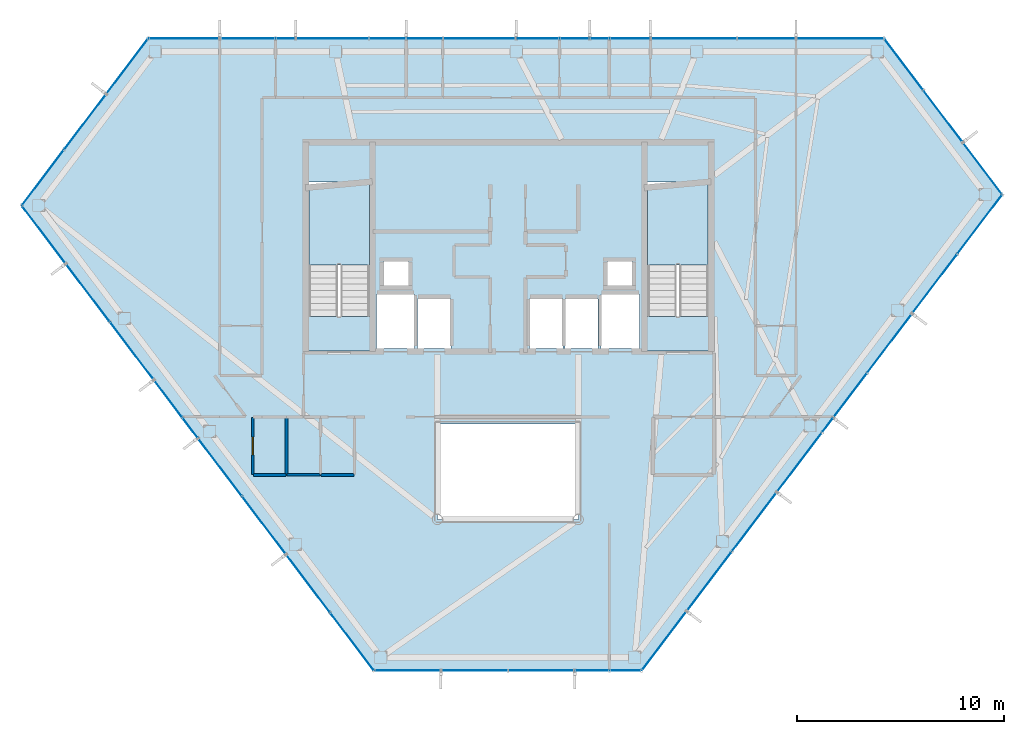
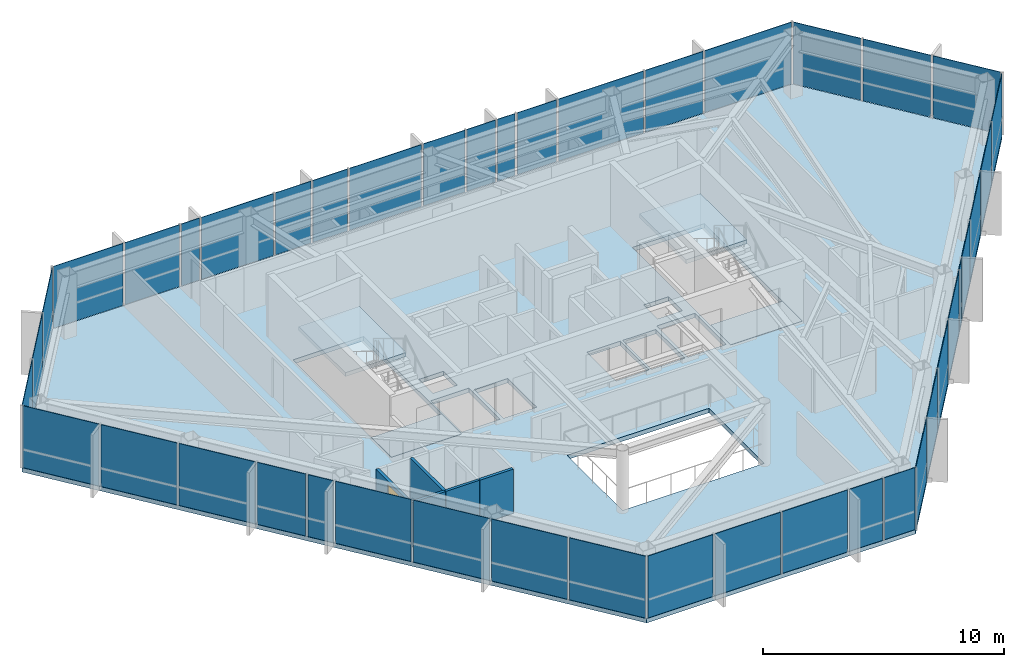
# One storey, part 21 of 25: 43 plates, 5 slabs, 5 walls, 1 door, 1 opening, 8 elements without a shape of their own.
"""IFC4 building model written with IfcOpenShell, lengths in metres."""

from ifc_helpers import new_model, si_unit, direction, frame, frame_2d, origin, origin_2d, place, context, subcontext, project, spatial, polyline, rectangle, outline, extrude, material, layer, layer_set, type_object, element, fill, aggregate, save


model = new_model("IFC4")

# Units and contexts
model_context = context("Model", 3, precision=1e-05, world=origin(), true_north=direction((0.0, 1.0)))
body_context = subcontext(model_context, "Body", "Model", "MODEL_VIEW")
ifc_project = project(units=[si_unit("LENGTHUNIT", "METRE"), si_unit("AREAUNIT", "SQUARE_METRE"), si_unit("VOLUMEUNIT", "CUBIC_METRE"), si_unit("PLANEANGLEUNIT", "RADIAN"), si_unit("MASSUNIT", "GRAM", prefix="KILO")], contexts=[model_context])

# Site, building, storey
site_placement = place(None, origin())
site = spatial("IfcSite", under=ifc_project, at=site_placement, CompositionType="ELEMENT")
building_placement = place(site_placement, origin())
building = spatial("IfcBuilding", under=site, at=building_placement, Name="Zarrinselat Tower", CompositionType="ELEMENT")
storey_placement = place(building_placement, frame((0.0, 0.0, 208.760009765625)))
storey = spatial("IfcBuildingStorey", under=building, at=storey_placement, Name="L51", CompositionType="ELEMENT", Elevation=208.760009765625)

# Curtain wall, plates
ifc_material_1 = material(Name="Extruded Aluminium Alloy EN AW-6063 T6", Category="aluminium")
ifc_layer_1 = layer(ifc_material_1, 0.169921875)
ifc_layer_set_1 = layer_set([ifc_layer_1], Name="Extruded Aluminium Alloy EN AW-6063 T6")
curtain_wall_type = type_object("IfcCurtainWallType", Name="CWS-RES", PredefinedType="NOTDEFINED", material=ifc_layer_set_1)
curtain_wall_1_placement = place(storey_placement, origin())
curtain_wall_1 = element("IfcCurtainWall", 1, at=curtain_wall_1_placement, inside=storey, type_object=curtain_wall_type, Name="L51 Unitised Curtain Wall CW-L51-E01", PredefinedType="NOTDEFINED")
ifc_material_2 = material(Name="Double Low-E Laminated Solar Glass", Category="glass")
ifc_layer_2 = layer(ifc_material_2, 0.028076171875)
ifc_layer_set_2 = layer_set([ifc_layer_2], Name="Double Low-E Laminated Solar Glass")
plate_type = type_object("IfcPlateType", Name="PLT-CW-GL28", PredefinedType="CURTAIN_PANEL", material=ifc_layer_set_2)
plate_1_placement = place(storey_placement, frame((54.420654296875, 48.4111328125, 0.02001953125), z_axis=(0.0, 0.0, 1.0), x_axis=(-1.0, 0.0, 0.0)))
plate_1 = element("IfcPlate", 2, at=plate_1_placement, type_object=plate_type, Name="CW-L51-E01 Vision Glass Panel 1", PredefinedType="CURTAIN_PANEL", context=body_context, shape_type="SweptSolid", body=[
    extrude(rectangle(XDim=4.14111328125, YDim=0.028076171875, at=origin_2d()), origin(), (0.0, 0.0, 1.0), 3.139892578125),
])
plate_2_placement = place(storey_placement, frame((50.872802734375, 48.4111328125, 0.02001953125), z_axis=(0.0, 0.0, 1.0), x_axis=(-1.0, 0.0, 0.0)))
plate_2 = element("IfcPlate", 3, at=plate_2_placement, type_object=plate_type, Name="CW-L51-E01 Vision Glass Panel 2", PredefinedType="CURTAIN_PANEL", context=body_context, shape_type="SweptSolid", body=[
    extrude(rectangle(XDim=2.75439453125, YDim=0.028076171875, at=origin_2d()), origin(), (0.0, 0.0, 1.0), 3.139892578125),
])
plate_3_placement = place(storey_placement, frame((47.36279296875, 48.4111328125, 0.02001953125), z_axis=(0.0, 0.0, 1.0), x_axis=(-1.0, 0.0, 0.0)))
plate_3 = element("IfcPlate", 4, at=plate_3_placement, type_object=plate_type, Name="CW-L51-E01 Vision Glass Panel 3", PredefinedType="CURTAIN_PANEL", context=body_context, shape_type="SweptSolid", body=[
    extrude(rectangle(XDim=4.0654296875, YDim=0.028076171875, at=origin_2d()), origin(), (0.0, 0.0, 1.0), 3.139892578125),
])
plate_4_placement = place(storey_placement, frame((44.2900390625, 48.4111328125, 0.02001953125), z_axis=(0.0, 0.0, 1.0), x_axis=(-1.0, 0.0, 0.0)))
plate_4 = element("IfcPlate", 5, at=plate_4_placement, type_object=plate_type, Name="CW-L51-E01 Vision Glass Panel 4", PredefinedType="CURTAIN_PANEL", context=body_context, shape_type="SweptSolid", body=[
    extrude(rectangle(XDim=1.8798828125, YDim=0.028076171875, at=origin_2d()), origin(), (0.0, 0.0, 1.0), 3.139892578125),
])
plate_5_placement = place(storey_placement, frame((42.824951171875, 48.4111328125, 0.02001953125), z_axis=(0.0, 0.0, 1.0), x_axis=(-1.0, 0.0, 0.0)))
plate_5 = element("IfcPlate", 6, at=plate_5_placement, type_object=plate_type, Name="CW-L51-E01 Vision Glass Panel 5", PredefinedType="CURTAIN_PANEL", context=body_context, shape_type="SweptSolid", body=[
    extrude(rectangle(XDim=0.85009765625, YDim=0.028076171875, at=origin_2d()), origin(), (0.0, 0.0, 1.0), 3.139892578125),
])
plate_6_placement = place(storey_placement, frame((41.619384765625, 48.4111328125, 0.02001953125), z_axis=(0.0, 0.0, 1.0), x_axis=(-1.0, 0.0, 0.0)))
plate_6 = element("IfcPlate", 7, at=plate_6_placement, type_object=plate_type, Name="CW-L51-E01 Vision Glass Panel 6", PredefinedType="CURTAIN_PANEL", context=body_context, shape_type="SweptSolid", body=[
    extrude(rectangle(XDim=1.360595703125, YDim=0.028076171875, at=origin_2d()), origin(), (0.0, 0.0, 1.0), 3.139892578125),
])
plate_7_placement = place(storey_placement, frame((39.845703125, 48.4111328125, 0.02001953125), z_axis=(0.0, 0.0, 1.0), x_axis=(-1.0, 0.0, 0.0)))
plate_7 = element("IfcPlate", 8, at=plate_7_placement, type_object=plate_type, Name="CW-L51-E01 Vision Glass Panel 7", PredefinedType="CURTAIN_PANEL", context=body_context, shape_type="SweptSolid", body=[
    extrude(rectangle(XDim=1.9873046875, YDim=0.028076171875, at=origin_2d()), origin(), (0.0, 0.0, 1.0), 3.139892578125),
])
plate_8_placement = place(storey_placement, frame((37.032958984375, 48.4111328125, 0.02001953125), z_axis=(0.0, 0.0, 1.0), x_axis=(-1.0, 0.0, 0.0)))
plate_8 = element("IfcPlate", 9, at=plate_8_placement, type_object=plate_type, Name="CW-L51-E01 Vision Glass Panel 8", PredefinedType="CURTAIN_PANEL", context=body_context, shape_type="SweptSolid", body=[
    extrude(rectangle(XDim=3.43798828125, YDim=0.028076171875, at=origin_2d()), origin(), (0.0, 0.0, 1.0), 3.139892578125),
])
plate_9_placement = place(storey_placement, frame((34.382080078125, 48.4111328125, 0.02001953125), z_axis=(0.0, 0.0, 1.0), x_axis=(-1.0, 0.0, 0.0)))
plate_9 = element("IfcPlate", 10, at=plate_9_placement, type_object=plate_type, Name="CW-L51-E01 Vision Glass Panel 9", PredefinedType="CURTAIN_PANEL", context=body_context, shape_type="SweptSolid", body=[
    extrude(rectangle(XDim=1.6640625, YDim=0.028076171875, at=origin_2d()), origin(), (0.0, 0.0, 1.0), 3.139892578125),
])
plate_10_placement = place(storey_placement, frame((32.60302734375, 48.4111328125, 0.02001953125), z_axis=(0.0, 0.0, 1.0), x_axis=(-1.0, 0.0, 0.0)))
plate_10 = element("IfcPlate", 11, at=plate_10_placement, type_object=plate_type, Name="CW-L51-E01 Vision Glass Panel 10", PredefinedType="CURTAIN_PANEL", context=body_context, shape_type="SweptSolid", body=[
    extrude(rectangle(XDim=1.69384765625, YDim=0.028076171875, at=origin_2d()), origin(), (0.0, 0.0, 1.0), 3.139892578125),
])
plate_11_placement = place(storey_placement, frame((29.932373046875, 48.4111328125, 0.02001953125), z_axis=(0.0, 0.0, 1.0), x_axis=(-1.0, 0.0, 0.0)))
plate_11 = element("IfcPlate", 12, at=plate_11_placement, type_object=plate_type, Name="CW-L51-E01 Vision Glass Panel 11", PredefinedType="CURTAIN_PANEL", context=body_context, shape_type="SweptSolid", body=[
    extrude(rectangle(XDim=3.447998046875, YDim=0.028076171875, at=origin_2d()), origin(), (0.0, 0.0, 1.0), 3.139892578125),
])
plate_12_placement = place(storey_placement, frame((27.67919921875, 48.4111328125, 0.02001953125), z_axis=(0.0, 0.0, 1.0), x_axis=(-1.0, 0.0, 0.0)))
plate_12 = element("IfcPlate", 13, at=plate_12_placement, type_object=plate_type, Name="CW-L51-E01 Vision Glass Panel 12", PredefinedType="CURTAIN_PANEL", context=body_context, shape_type="SweptSolid", body=[
    extrude(rectangle(XDim=0.8583984375, YDim=0.028076171875, at=origin_2d()), origin(), (0.0, 0.0, 1.0), 3.139892578125),
])
plate_13_placement = place(storey_placement, frame((25.85009765625, 48.4111328125, 0.02001953125), z_axis=(0.0, 0.0, 1.0), x_axis=(-1.0, 0.0, 0.0)))
plate_13 = element("IfcPlate", 14, at=plate_13_placement, type_object=plate_type, Name="CW-L51-E01 Vision Glass Panel 13", PredefinedType="CURTAIN_PANEL", context=body_context, shape_type="SweptSolid", body=[
    extrude(rectangle(XDim=2.60009765625, YDim=0.028076171875, at=origin_2d()), origin(), (0.0, 0.0, 1.0), 3.139892578125),
])
plate_14_placement = place(storey_placement, frame((22.781494140625, 48.4111328125, 0.02001953125), z_axis=(0.0, 0.0, 1.0), x_axis=(-1.0, 0.0, 0.0)))
plate_14 = element("IfcPlate", 15, at=plate_14_placement, type_object=plate_type, Name="CW-L51-E01 Vision Glass Panel 14", PredefinedType="CURTAIN_PANEL", context=body_context, shape_type="SweptSolid", body=[
    extrude(rectangle(XDim=3.33740234375, YDim=0.028076171875, at=origin_2d()), origin(), (0.0, 0.0, 1.0), 3.139892578125),
])
aggregate(curtain_wall_1, [plate_1, plate_2, plate_3, plate_4, plate_5, plate_6, plate_7, plate_8, plate_9, plate_10, plate_11, plate_12, plate_13, plate_14])

curtain_wall_2_placement = place(storey_placement, origin())
curtain_wall_2 = element("IfcCurtainWall", 16, at=curtain_wall_2_placement, inside=storey, type_object=curtain_wall_type, Name="L51 Unitised Curtain Wall CW-L51-E02", PredefinedType="NOTDEFINED")
plate_15_placement = place(storey_placement, frame((20.04443359375, 47.067138671875, 0.02001953125), z_axis=(0.0, 0.0, 1.0), x_axis=(-0.603853501206, -0.797095319947, 0.0)))
plate_15 = element("IfcPlate", 17, at=plate_15_placement, type_object=plate_type, Name="CW-L51-E02 Vision Glass Panel 1", PredefinedType="CURTAIN_PANEL", context=body_context, shape_type="SweptSolid", body=[
    extrude(rectangle(XDim=3.272216796875, YDim=0.028076171875, at=origin_2d()), origin(), (0.0, 0.0, 1.0), 3.139892578125),
])
plate_16_placement = place(storey_placement, frame((18.00830078125, 44.37890625, 0.02001953125), z_axis=(0.0, 0.0, 1.0), x_axis=(-0.603853501206, -0.797095319947, 0.0)))
plate_16 = element("IfcPlate", 18, at=plate_16_placement, type_object=plate_type, Name="CW-L51-E02 Vision Glass Panel 2", PredefinedType="CURTAIN_PANEL", context=body_context, shape_type="SweptSolid", body=[
    extrude(rectangle(XDim=3.272216796875, YDim=0.028076171875, at=origin_2d()), origin(), (0.0, 0.0, 1.0), 3.139892578125),
])
plate_17_placement = place(storey_placement, frame((15.9716796875, 41.69091796875, 0.02001953125), z_axis=(0.0, 0.0, 1.0), x_axis=(-0.603853501206, -0.797095319947, 0.0)))
plate_17 = element("IfcPlate", 19, at=plate_17_placement, type_object=plate_type, Name="CW-L51-E02 Vision Glass Panel 3", PredefinedType="CURTAIN_PANEL", context=body_context, shape_type="SweptSolid", body=[
    extrude(rectangle(XDim=3.272216796875, YDim=0.028076171875, at=origin_2d()), origin(), (0.0, 0.0, 1.0), 3.139892578125),
])
aggregate(curtain_wall_2, [plate_15, plate_16, plate_17])

curtain_wall_3_placement = place(storey_placement, origin())
curtain_wall_3 = element("IfcCurtainWall", 20, at=curtain_wall_3_placement, inside=storey, type_object=curtain_wall_type, Name="L51 Unitised Curtain Wall CW-L51-E03", PredefinedType="NOTDEFINED")
plate_18_placement = place(storey_placement, frame((16.015869140625, 38.944580078125, 0.02001953125), z_axis=(0.0, 0.0, 1.0), x_axis=(0.603858850791, -0.797091267247, 0.0)))
plate_18 = element("IfcPlate", 21, at=plate_18_placement, type_object=plate_type, Name="CW-L51-E03 Vision Glass Panel 1", PredefinedType="CURTAIN_PANEL", context=body_context, shape_type="SweptSolid", body=[
    extrude(rectangle(XDim=3.41845703125, YDim=0.028076171875, at=origin_2d()), origin(), (0.0, 0.0, 1.0), 3.139892578125),
])
plate_19_placement = place(storey_placement, frame((18.140625, 36.14013671875, 0.02001953125), z_axis=(0.0, 0.0, 1.0), x_axis=(0.603858850791, -0.797091267247, 0.0)))
plate_19 = element("IfcPlate", 22, at=plate_19_placement, type_object=plate_type, Name="CW-L51-E03 Vision Glass Panel 2", PredefinedType="CURTAIN_PANEL", context=body_context, shape_type="SweptSolid", body=[
    extrude(rectangle(XDim=3.41845703125, YDim=0.028076171875, at=origin_2d()), origin(), (0.0, 0.0, 1.0), 3.139892578125),
])
plate_20_placement = place(storey_placement, frame((20.265380859375, 33.335693359375, 0.02001953125), z_axis=(0.0, 0.0, 1.0), x_axis=(0.603858850791, -0.797091267247, 0.0)))
plate_20 = element("IfcPlate", 23, at=plate_20_placement, type_object=plate_type, Name="CW-L51-E03 Vision Glass Panel 3", PredefinedType="CURTAIN_PANEL", context=body_context, shape_type="SweptSolid", body=[
    extrude(rectangle(XDim=3.41845703125, YDim=0.028076171875, at=origin_2d()), origin(), (0.0, 0.0, 1.0), 3.139892578125),
])
plate_21_placement = place(storey_placement, frame((22.016845703125, 31.0234375, 0.02001953125), z_axis=(0.0, 0.0, 1.0), x_axis=(0.603858850791, -0.797091267247, 0.0)))
plate_21 = element("IfcPlate", 24, at=plate_21_placement, type_object=plate_type, Name="CW-L51-E03 Vision Glass Panel 4", PredefinedType="CURTAIN_PANEL", context=body_context, shape_type="SweptSolid", body=[
    extrude(rectangle(XDim=2.1826171875, YDim=0.028076171875, at=origin_2d()), origin(), (0.0, 0.0, 1.0), 3.139892578125),
])
plate_22_placement = place(storey_placement, frame((23.0791015625, 29.621337890625, 0.02001953125), z_axis=(0.0, 0.0, 1.0), x_axis=(0.603858850791, -0.797091267247, 0.0)))
plate_22 = element("IfcPlate", 25, at=plate_22_placement, type_object=plate_type, Name="CW-L51-E03 Vision Glass Panel 5", PredefinedType="CURTAIN_PANEL", context=body_context, shape_type="SweptSolid", body=[
    extrude(rectangle(XDim=1.1357421875, YDim=0.028076171875, at=origin_2d()), origin(), (0.0, 0.0, 1.0), 3.139892578125),
])
plate_23_placement = place(storey_placement, frame((24.5146484375, 27.7265625, 0.02001953125), z_axis=(0.0, 0.0, 1.0), x_axis=(0.603858850791, -0.797091267247, 0.0)))
plate_23 = element("IfcPlate", 26, at=plate_23_placement, type_object=plate_type, Name="CW-L51-E03 Vision Glass Panel 6", PredefinedType="CURTAIN_PANEL", context=body_context, shape_type="SweptSolid", body=[
    extrude(rectangle(XDim=3.41845703125, YDim=0.028076171875, at=origin_2d()), origin(), (0.0, 0.0, 1.0), 3.139892578125),
])
plate_24_placement = place(storey_placement, frame((26.639404296875, 24.921875, 0.02001953125), z_axis=(0.0, 0.0, 1.0), x_axis=(0.603858850791, -0.797091267247, 0.0)))
plate_24 = element("IfcPlate", 27, at=plate_24_placement, type_object=plate_type, Name="CW-L51-E03 Vision Glass Panel 7", PredefinedType="CURTAIN_PANEL", context=body_context, shape_type="SweptSolid", body=[
    extrude(rectangle(XDim=3.41845703125, YDim=0.028076171875, at=origin_2d()), origin(), (0.0, 0.0, 1.0), 3.139892578125),
])
plate_25_placement = place(storey_placement, frame((28.763916015625, 22.1171875, 0.02001953125), z_axis=(0.0, 0.0, 1.0), x_axis=(0.603858850791, -0.797091267247, 0.0)))
plate_25 = element("IfcPlate", 28, at=plate_25_placement, type_object=plate_type, Name="CW-L51-E03 Vision Glass Panel 8", PredefinedType="CURTAIN_PANEL", context=body_context, shape_type="SweptSolid", body=[
    extrude(rectangle(XDim=3.41845703125, YDim=0.028076171875, at=origin_2d()), origin(), (0.0, 0.0, 1.0), 3.139892578125),
])
plate_26_placement = place(storey_placement, frame((30.888671875, 19.312744140625, 0.02001953125), z_axis=(0.0, 0.0, 1.0), x_axis=(0.603858850791, -0.797091267247, 0.0)))
plate_26 = element("IfcPlate", 29, at=plate_26_placement, type_object=plate_type, Name="CW-L51-E03 Vision Glass Panel 9", PredefinedType="CURTAIN_PANEL", context=body_context, shape_type="SweptSolid", body=[
    extrude(rectangle(XDim=3.41845703125, YDim=0.028076171875, at=origin_2d()), origin(), (0.0, 0.0, 1.0), 3.139892578125),
])
aggregate(curtain_wall_3, [plate_18, plate_19, plate_20, plate_21, plate_22, plate_23, plate_24, plate_25, plate_26])

curtain_wall_4_placement = place(storey_placement, origin())
curtain_wall_4 = element("IfcCurtainWall", 30, at=curtain_wall_4_placement, inside=storey, type_object=curtain_wall_type, Name="L51 Unitised Curtain Wall CW-L51-E04", PredefinedType="NOTDEFINED")
plate_27_placement = place(storey_placement, frame((33.563232421875, 17.910400390625, 0.02001953125), z_axis=(0.0, 0.0, 1.0), x_axis=(1.0, 0.0, 0.0)))
plate_27 = element("IfcPlate", 31, at=plate_27_placement, type_object=plate_type, Name="CW-L51-E04 Vision Glass Panel 1", PredefinedType="CURTAIN_PANEL", context=body_context, shape_type="SweptSolid", body=[
    extrude(rectangle(XDim=3.12451171875, YDim=0.028076171875, at=origin_2d()), origin(), (0.0, 0.0, 1.0), 3.139892578125),
])
plate_28_placement = place(storey_placement, frame((36.787841796875, 17.910400390625, 0.02001953125), z_axis=(0.0, 0.0, 1.0), x_axis=(1.0, 0.0, 0.0)))
plate_28 = element("IfcPlate", 32, at=plate_28_placement, type_object=plate_type, Name="CW-L51-E04 Vision Glass Panel 2", PredefinedType="CURTAIN_PANEL", context=body_context, shape_type="SweptSolid", body=[
    extrude(rectangle(XDim=3.12451171875, YDim=0.028076171875, at=origin_2d()), origin(), (0.0, 0.0, 1.0), 3.139892578125),
])
plate_29_placement = place(storey_placement, frame((40.01220703125, 17.910400390625, 0.02001953125), z_axis=(0.0, 0.0, 1.0), x_axis=(1.0, 0.0, 0.0)))
plate_29 = element("IfcPlate", 33, at=plate_29_placement, type_object=plate_type, Name="CW-L51-E04 Vision Glass Panel 3", PredefinedType="CURTAIN_PANEL", context=body_context, shape_type="SweptSolid", body=[
    extrude(rectangle(XDim=3.12451171875, YDim=0.028076171875, at=origin_2d()), origin(), (0.0, 0.0, 1.0), 3.139892578125),
])
plate_30_placement = place(storey_placement, frame((42.462158203125, 17.910400390625, 0.02001953125), z_axis=(0.0, 0.0, 1.0), x_axis=(1.0, 0.0, 0.0)))
plate_30 = element("IfcPlate", 34, at=plate_30_placement, type_object=plate_type, Name="CW-L51-E04 Vision Glass Panel 4", PredefinedType="CURTAIN_PANEL", context=body_context, shape_type="SweptSolid", body=[
    extrude(rectangle(XDim=1.575439453125, YDim=0.028076171875, at=origin_2d()), origin(), (0.0, 0.0, 1.0), 3.139892578125),
])
plate_31_placement = place(storey_placement, frame((44.074462890625, 17.910400390625, 0.02001953125), z_axis=(0.0, 0.0, 1.0), x_axis=(1.0, 0.0, 0.0)))
plate_31 = element("IfcPlate", 35, at=plate_31_placement, type_object=plate_type, Name="CW-L51-E04 Vision Glass Panel 5", PredefinedType="CURTAIN_PANEL", context=body_context, shape_type="SweptSolid", body=[
    extrude(rectangle(XDim=1.448974609375, YDim=0.028076171875, at=origin_2d()), origin(), (0.0, 0.0, 1.0), 3.139892578125),
])
aggregate(curtain_wall_4, [plate_27, plate_28, plate_29, plate_30, plate_31])

curtain_wall_5_placement = place(storey_placement, origin())
curtain_wall_5 = element("IfcCurtainWall", 36, at=curtain_wall_5_placement, inside=storey, type_object=curtain_wall_type, Name="L51 Unitised Curtain Wall CW-L51-E05", PredefinedType="NOTDEFINED")
plate_32_placement = place(storey_placement, frame((45.9365234375, 19.345947265625, 0.02001953125), z_axis=(0.0, 0.0, 1.0), x_axis=(0.603859492128, 0.797090781384, 0.0)))
plate_32 = element("IfcPlate", 37, at=plate_32_placement, type_object=plate_type, Name="CW-L51-E05 Vision Glass Panel 1", PredefinedType="CURTAIN_PANEL", context=body_context, shape_type="SweptSolid", body=[
    extrude(rectangle(XDim=3.501708984375, YDim=0.028076171875, at=origin_2d()), origin(), (0.0, 0.0, 1.0), 3.139892578125),
])
plate_33_placement = place(storey_placement, frame((48.111328125, 22.216796875, 0.02001953125), z_axis=(0.0, 0.0, 1.0), x_axis=(0.603859492128, 0.797090781384, 0.0)))
plate_33 = element("IfcPlate", 38, at=plate_33_placement, type_object=plate_type, Name="CW-L51-E05 Vision Glass Panel 2", PredefinedType="CURTAIN_PANEL", context=body_context, shape_type="SweptSolid", body=[
    extrude(rectangle(XDim=3.501708984375, YDim=0.028076171875, at=origin_2d()), origin(), (0.0, 0.0, 1.0), 3.139892578125),
])
plate_34_placement = place(storey_placement, frame((50.286376953125, 25.087646484375, 0.02001953125), z_axis=(0.0, 0.0, 1.0), x_axis=(0.603859492128, 0.797090781384, 0.0)))
plate_34 = element("IfcPlate", 39, at=plate_34_placement, type_object=plate_type, Name="CW-L51-E05 Vision Glass Panel 3", PredefinedType="CURTAIN_PANEL", context=body_context, shape_type="SweptSolid", body=[
    extrude(rectangle(XDim=3.501708984375, YDim=0.028076171875, at=origin_2d()), origin(), (0.0, 0.0, 1.0), 3.139892578125),
])
plate_35_placement = place(storey_placement, frame((52.461181640625, 27.95849609375, 0.02001953125), z_axis=(0.0, 0.0, 1.0), x_axis=(0.603859492128, 0.797090781384, 0.0)))
plate_35 = element("IfcPlate", 40, at=plate_35_placement, type_object=plate_type, Name="CW-L51-E05 Vision Glass Panel 4", PredefinedType="CURTAIN_PANEL", context=body_context, shape_type="SweptSolid", body=[
    extrude(rectangle(XDim=3.501708984375, YDim=0.028076171875, at=origin_2d()), origin(), (0.0, 0.0, 1.0), 3.139892578125),
])
plate_36_placement = place(storey_placement, frame((53.8212890625, 29.75390625, 0.02001953125), z_axis=(0.0, 0.0, 1.0), x_axis=(0.603859492128, 0.797090781384, 0.0)))
plate_36 = element("IfcPlate", 41, at=plate_36_placement, type_object=plate_type, Name="CW-L51-E05 Vision Glass Panel 5", PredefinedType="CURTAIN_PANEL", context=body_context, shape_type="SweptSolid", body=[
    extrude(rectangle(XDim=0.802978515625, YDim=0.028076171875, at=origin_2d()), origin(), (0.0, 0.0, 1.0), 3.139892578125),
])
plate_37_placement = place(storey_placement, frame((54.90869140625, 31.189208984375, 0.02001953125), z_axis=(0.0, 0.0, 1.0), x_axis=(0.603859492128, 0.797090781384, 0.0)))
plate_37 = element("IfcPlate", 42, at=plate_37_placement, type_object=plate_type, Name="CW-L51-E05 Vision Glass Panel 6", PredefinedType="CURTAIN_PANEL", context=body_context, shape_type="SweptSolid", body=[
    extrude(rectangle(XDim=2.598876953125, YDim=0.028076171875, at=origin_2d()), origin(), (0.0, 0.0, 1.0), 3.139892578125),
])
plate_38_placement = place(storey_placement, frame((56.81103515625, 33.700439453125, 0.02001953125), z_axis=(0.0, 0.0, 1.0), x_axis=(0.603859492128, 0.797090781384, 0.0)))
plate_38 = element("IfcPlate", 43, at=plate_38_placement, type_object=plate_type, Name="CW-L51-E05 Vision Glass Panel 7", PredefinedType="CURTAIN_PANEL", context=body_context, shape_type="SweptSolid", body=[
    extrude(rectangle(XDim=3.501708984375, YDim=0.028076171875, at=origin_2d()), origin(), (0.0, 0.0, 1.0), 3.139892578125),
])
plate_39_placement = place(storey_placement, frame((58.986083984375, 36.5712890625, 0.02001953125), z_axis=(0.0, 0.0, 1.0), x_axis=(0.603859492128, 0.797090781384, 0.0)))
plate_39 = element("IfcPlate", 44, at=plate_39_placement, type_object=plate_type, Name="CW-L51-E05 Vision Glass Panel 8", PredefinedType="CURTAIN_PANEL", context=body_context, shape_type="SweptSolid", body=[
    extrude(rectangle(XDim=3.501708984375, YDim=0.028076171875, at=origin_2d()), origin(), (0.0, 0.0, 1.0), 3.139892578125),
])
plate_40_placement = place(storey_placement, frame((61.160888671875, 39.442138671875, 0.02001953125), z_axis=(0.0, 0.0, 1.0), x_axis=(0.603859492128, 0.797090781384, 0.0)))
plate_40 = element("IfcPlate", 45, at=plate_40_placement, type_object=plate_type, Name="CW-L51-E05 Vision Glass Panel 9", PredefinedType="CURTAIN_PANEL", context=body_context, shape_type="SweptSolid", body=[
    extrude(rectangle(XDim=3.501708984375, YDim=0.028076171875, at=origin_2d()), origin(), (0.0, 0.0, 1.0), 3.139892578125),
])
aggregate(curtain_wall_5, [plate_32, plate_33, plate_34, plate_35, plate_36, plate_37, plate_38, plate_39, plate_40])

curtain_wall_6_placement = place(storey_placement, origin())
curtain_wall_6 = element("IfcCurtainWall", 46, at=curtain_wall_6_placement, inside=storey, type_object=curtain_wall_type, Name="L51 Unitised Curtain Wall CW-L51-E06", PredefinedType="NOTDEFINED")
plate_41_placement = place(storey_placement, frame((61.297119140625, 42.13330078125, 0.02001953125), z_axis=(0.0, 0.0, 1.0), x_axis=(-0.603857891707, 0.797091993827, 0.0)))
plate_41 = element("IfcPlate", 47, at=plate_41_placement, type_object=plate_type, Name="CW-L51-E06 Vision Glass Panel 1", PredefinedType="CURTAIN_PANEL", context=body_context, shape_type="SweptSolid", body=[
    extrude(rectangle(XDim=3.05029296875, YDim=0.028076171875, at=origin_2d()), origin(), (0.0, 0.0, 1.0), 3.139892578125),
])
plate_42_placement = place(storey_placement, frame((59.394775390625, 44.644287109375, 0.02001953125), z_axis=(0.0, 0.0, 1.0), x_axis=(-0.603857891707, 0.797091993827, 0.0)))
plate_42 = element("IfcPlate", 48, at=plate_42_placement, type_object=plate_type, Name="CW-L51-E06 Vision Glass Panel 2", PredefinedType="CURTAIN_PANEL", context=body_context, shape_type="SweptSolid", body=[
    extrude(rectangle(XDim=3.05029296875, YDim=0.028076171875, at=origin_2d()), origin(), (0.0, 0.0, 1.0), 3.139892578125),
])
plate_43_placement = place(storey_placement, frame((57.492431640625, 47.155517578125, 0.02001953125), z_axis=(0.0, 0.0, 1.0), x_axis=(-0.603857891707, 0.797091993827, 0.0)))
plate_43 = element("IfcPlate", 49, at=plate_43_placement, type_object=plate_type, Name="CW-L51-E06 Vision Glass Panel 3", PredefinedType="CURTAIN_PANEL", context=body_context, shape_type="SweptSolid", body=[
    extrude(rectangle(XDim=3.05029296875, YDim=0.028076171875, at=origin_2d()), origin(), (0.0, 0.0, 1.0), 3.139892578125),
])
aggregate(curtain_wall_6, [plate_41, plate_42, plate_43])

# Slabs
ifc_material_3 = material(Name="Concrete C40/50", Category="concrete")
ifc_layer_3 = layer(ifc_material_3, 0.219970703125)
ifc_layer_set_3 = layer_set([ifc_layer_3], Name="Concrete C40/50")
slab_type_1 = type_object("IfcSlabType", Name="SLB-FLOOR-220-SL-RS220", PredefinedType="FLOOR", material=ifc_layer_set_3)
slab_1_placement = place(storey_placement, frame((0.0, 0.0, -0.219970703125)))
element("IfcSlab", 50, at=slab_1_placement, inside=storey, type_object=slab_type_1, Name="L51 Primary Structural Slab", PredefinedType="FLOOR", context=body_context, shape_type="SweptSolid", body=[
    extrude(outline(polyline([(56.541259765625, 48.4111328125), (21.062744140625, 48.4111328125), (14.95361328125, 40.346923828125), (31.950927734375, 17.910400390625), (44.84912109375, 17.910400390625), (62.248291015625, 40.877685546875), (56.541259765625, 48.4111328125)]), holes=[polyline([(41.800048828125, 25.199951171875), (35.0, 25.199951171875), (35.0, 29.800048828125), (41.800048828125, 29.800048828125), (41.800048828125, 25.199951171875)]), polyline([(35.64990234375, 33.449951171875), (34.050048828125, 33.449951171875), (34.050048828125, 35.85009765625), (35.64990234375, 35.85009765625), (35.64990234375, 33.449951171875)]), polyline([(41.050048828125, 33.449951171875), (39.449951171875, 33.449951171875), (39.449951171875, 35.85009765625), (41.050048828125, 35.85009765625), (41.050048828125, 33.449951171875)]), polyline([(41.14990234375, 33.449951171875), (41.14990234375, 35.85009765625), (42.75, 35.85009765625), (42.75, 33.449951171875), (41.14990234375, 33.449951171875)]), polyline([(32.06005859375, 33.449951171875), (32.06005859375, 36.050048828125), (33.89990234375, 36.050048828125), (33.89990234375, 33.449951171875), (32.06005859375, 33.449951171875)]), polyline([(44.739990234375, 33.449951171875), (42.89990234375, 33.449951171875), (42.89990234375, 36.050048828125), (44.739990234375, 36.050048828125), (44.739990234375, 33.449951171875)]), polyline([(33.60009765625, 36.47998046875), (32.419921875, 36.47998046875), (32.419921875, 37.639892578125), (33.60009765625, 37.639892578125), (33.60009765625, 36.47998046875)]), polyline([(44.3798828125, 36.47998046875), (43.199951171875, 36.47998046875), (43.199951171875, 37.639892578125), (44.3798828125, 37.639892578125), (44.3798828125, 36.47998046875)]), polyline([(31.985107421875, 33.324951171875), (28.60498046875, 33.324951171875), (28.60498046875, 41.47509765625), (31.985107421875, 41.47509765625), (31.985107421875, 33.324951171875)]), polyline([(48.324951171875, 33.324951171875), (44.875, 33.324951171875), (44.875, 41.47509765625), (48.324951171875, 41.47509765625), (48.324951171875, 33.324951171875)])]), origin(), (0.0, 0.0, 1.0), 0.219970703125),
])
slab_2_placement = place(storey_placement, frame((0.0, 0.0, -0.219970703125)))
element("IfcSlab", 51, at=slab_2_placement, inside=storey, type_object=slab_type_1, Name="L51 Stair ST-1-FL1 Structural Floor Landing", PredefinedType="FLOOR", context=body_context, shape_type="SweptSolid", body=[
    extrude(outline(polyline([(31.97998046875, 33.330078125), (31.97998046875, 35.0), (28.610107421875, 35.0), (28.610107421875, 33.330078125), (31.97998046875, 33.330078125)])), origin(), (0.0, 0.0, 1.0), 0.219970703125),
])
slab_3_placement = place(storey_placement, frame((0.0, 0.0, -0.219970703125)))
element("IfcSlab", 52, at=slab_3_placement, inside=storey, type_object=slab_type_1, Name="L51 Stair ST-2-FL1 Structural Floor Landing", PredefinedType="FLOOR", context=body_context, shape_type="SweptSolid", body=[
    extrude(outline(polyline([(48.320068359375, 33.330078125), (48.320068359375, 35.0), (44.8798828125, 35.0), (44.8798828125, 33.330078125), (48.320068359375, 33.330078125)])), origin(), (0.0, 0.0, 1.0), 0.219970703125),
])

# Stair, slab
ifc_material_4 = material(Name="Concrete C40/50", Category="concrete")
stair_type = type_object("IfcStairType", Name="STR-CORE-155", PredefinedType="HALF_TURN_STAIR", material=ifc_material_4)
stair_1_placement = place(storey_placement, origin())
stair_1 = element("IfcStair", 53, at=stair_1_placement, inside=storey, type_object=stair_type, Name="L51 Core Exit Stair 1", PredefinedType="HALF_TURN_STAIR")
ifc_material_5 = material(Name="Concrete C40/50", Category="concrete")
ifc_layer_4 = layer(ifc_material_5, 0.18994140625)
ifc_layer_set_4 = layer_set([ifc_layer_4], Name="Concrete C40/50")
slab_type_2 = type_object("IfcSlabType", Name="SLB-LND-190", PredefinedType="LANDING", material=ifc_layer_set_4)
slab_4_placement = place(storey_placement, frame((0.0, 0.0, 1.5)))
slab_4 = element("IfcSlab", 54, at=slab_4_placement, type_object=slab_type_2, Name="ST-1 landing 1", PredefinedType="LANDING", context=body_context, shape_type="SweptSolid", body=[
    extrude(outline(polyline([(31.719970703125, 37.47998046875), (31.719970703125, 41.35009765625), (28.800048828125, 41.35009765625), (28.800048828125, 37.47998046875), (31.719970703125, 37.47998046875)])), origin(), (0.0, 0.0, 1.0), 0.199951171875),
])
aggregate(stair_1, [slab_4])

stair_2_placement = place(storey_placement, origin())
stair_2 = element("IfcStair", 55, at=stair_2_placement, inside=storey, type_object=stair_type, Name="L51 Core Exit Stair 2", PredefinedType="HALF_TURN_STAIR")
slab_5_placement = place(storey_placement, frame((0.0, 0.0, 1.5)))
slab_5 = element("IfcSlab", 56, at=slab_5_placement, type_object=slab_type_2, Name="ST-2 landing 1", PredefinedType="LANDING", context=body_context, shape_type="SweptSolid", body=[
    extrude(outline(polyline([(48.06005859375, 37.47998046875), (48.06005859375, 41.35009765625), (45.139892578125, 41.35009765625), (45.139892578125, 37.47998046875), (48.06005859375, 37.47998046875)])), origin(), (0.0, 0.0, 1.0), 0.199951171875),
])
aggregate(stair_2, [slab_5])

# Walls
ifc_material_6 = material(Name="Fire-Rated Gypsum Board Partition", Category="gypsum")
ifc_layer_5 = layer(ifc_material_6, 0.1201171875)
ifc_layer_set_5 = layer_set([ifc_layer_5], Name="Fire-Rated Gypsum Board Partition")
wall_type_1 = type_object("IfcWallType", Name="WAL-PART-STD", PredefinedType="PARTITIONING", material=ifc_layer_set_5)
wall_1_placement = place(storey_placement, frame((27.75, 27.35009765625, 0.0), z_axis=(0.0, 0.0, 1.0), x_axis=(1.0, 0.0, 0.0)))
element("IfcWall", 57, at=wall_1_placement, inside=storey, type_object=wall_type_1, Name="L51 Partition Wall 56", PredefinedType="PARTITIONING", context=body_context, shape_type="SweptSolid", body=[
    extrude(rectangle(XDim=1.590087890625, YDim=0.1201171875, at=frame_2d((0.794921875, 0.0))), origin(), (0.0, 0.0, 1.0), 2.235107421875),
])
ifc_material_7 = material(Name="Fire-Rated Gypsum Board Partition", Category="gypsum")
ifc_layer_6 = layer(ifc_material_7, 0.135009765625)
ifc_layer_set_6 = layer_set([ifc_layer_6], Name="Fire-Rated Gypsum Board Partition")
wall_type_2 = type_object("IfcWallType", Name="WAL-PART-WET", PredefinedType="PARTITIONING", material=ifc_layer_set_6)
wall_2_placement = place(storey_placement, frame((29.3798828125, 27.35009765625, 0.0), z_axis=(0.0, 0.0, 1.0), x_axis=(1.0, 0.0, 0.0)))
element("IfcWall", 58, at=wall_2_placement, inside=storey, type_object=wall_type_2, Name="L51 Partition Wall 51", PredefinedType="PARTITIONING", context=body_context, shape_type="SweptSolid", body=[
    extrude(rectangle(XDim=1.60009765625, YDim=0.135009765625, at=frame_2d((0.800048828125, 0.0))), origin(), (0.0, 0.0, 1.0), 2.235107421875),
])
wall_3_placement = place(storey_placement, frame((27.72998046875, 27.3701171875, 0.0), z_axis=(0.0, 0.0, 1.0), x_axis=(0.0, 1.0, 0.0)))
element("IfcWall", 59, at=wall_3_placement, inside=storey, type_object=wall_type_2, Name="L51 Partition Wall 53", PredefinedType="PARTITIONING", context=body_context, shape_type="SweptSolid", body=[
    extrude(rectangle(XDim=2.759765625, YDim=0.135009765625, at=frame_2d((1.3798828125, 0.0))), origin(), (0.0, 0.0, 1.0), 2.235107421875),
])
wall_4_placement = place(storey_placement, frame((26.1201171875, 27.35009765625, 0.0), z_axis=(0.0, 0.0, 1.0), x_axis=(1.0, 0.0, 0.0)))
element("IfcWall", 60, at=wall_4_placement, inside=storey, type_object=wall_type_2, Name="L51 Partition Wall 54", PredefinedType="PARTITIONING", context=body_context, shape_type="SweptSolid", body=[
    extrude(rectangle(XDim=1.58984375, YDim=0.135009765625, at=frame_2d((0.794921875, 0.0))), origin(), (0.0, 0.0, 1.0), 2.235107421875),
])

# Wall, opening, door
wall_5_placement = place(storey_placement, frame((26.10009765625, 27.3701171875, 0.0), z_axis=(0.0, 0.0, 1.0), x_axis=(0.0, 1.0, 0.0)))
wall_5 = element("IfcWall", 61, at=wall_5_placement, inside=storey, type_object=wall_type_2, Name="L51 Partition Wall 55", PredefinedType="PARTITIONING", context=body_context, shape_type="SweptSolid", body=[
    extrude(rectangle(XDim=2.759765625, YDim=0.135009765625, at=frame_2d((1.3798828125, 0.0))), origin(), (0.0, 0.0, 1.0), 2.235107421875),
])
opening_placement = place(wall_5_placement, frame((0.949951171875, 0.0, 0.0)))
opening = element("IfcOpeningElement", 62, at=opening_placement, cuts=wall_5, Name="Opening ID-06", PredefinedType="OPENING", context=body_context, shape_type="SweptSolid", body=[
    extrude(rectangle(XDim=0.860107421875, YDim=2.050048828125, at=frame_2d((0.43017578125, 1.02490234375))), frame((0.0, 0.077392578125, 0.0), z_axis=(0.0, -1.0, 0.0), x_axis=(1.0, 0.0, 0.0)), (0.0, 0.0, 1.0), 0.155029296875),
])
ifc_material_8 = material(Name="Extruded Aluminium Alloy EN AW-6063 T6", Category="aluminium")
door_type = type_object("IfcDoorType", Name="DR-INT-WET-900", OperationType="NOTDEFINED", PredefinedType="DOOR", material=ifc_material_8)
door_placement = place(opening_placement, origin())
door = element("IfcDoor", 63, at=door_placement, inside=storey, type_object=door_type, Name="L51 Interior Door P55", OperationType="SINGLE_SWING_LEFT", OverallHeight=2.050048828125, OverallWidth=0.860107421875, PredefinedType="DOOR", context=body_context, shape_type="SweptSolid", body=[
    extrude(rectangle(XDim=0.860107421875, YDim=2.050048828125, at=frame_2d((0.43017578125, 1.02490234375))), frame((0.0, 0.02490234375, 0.0), z_axis=(0.0, -1.0, 0.0), x_axis=(1.0, 0.0, 0.0)), (0.0, 0.0, 1.0), 0.050048828125),
])
fill(opening, door)

save(model, "model.ifc")
